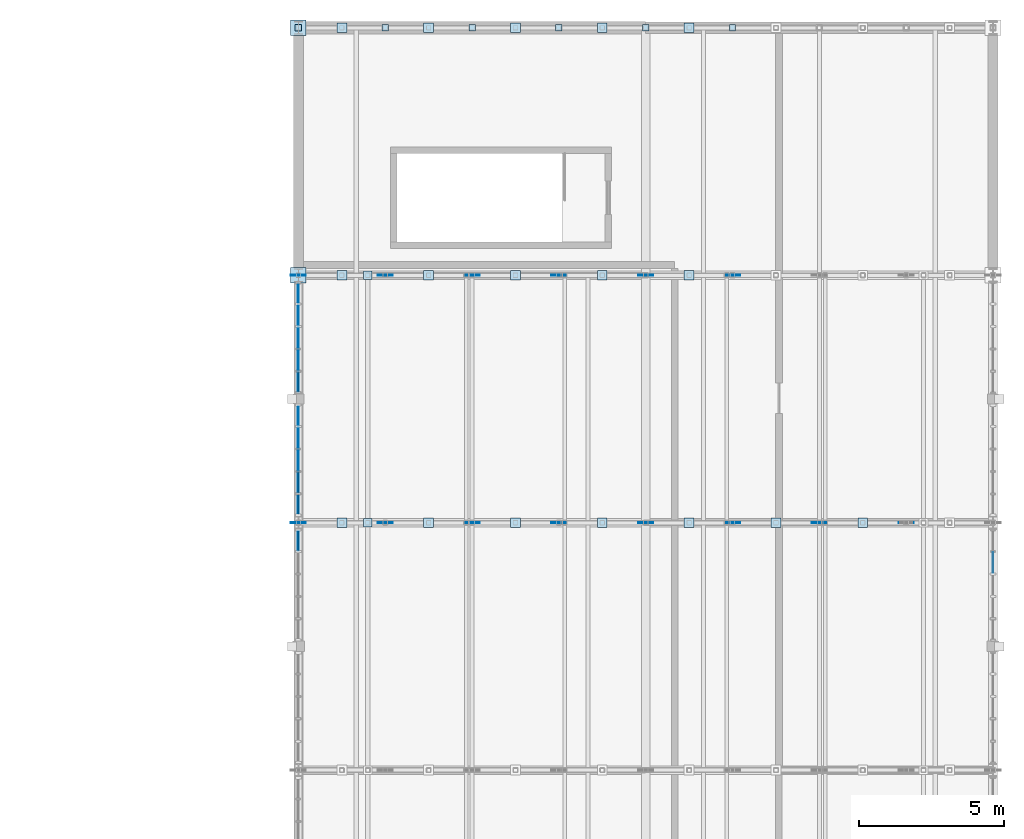
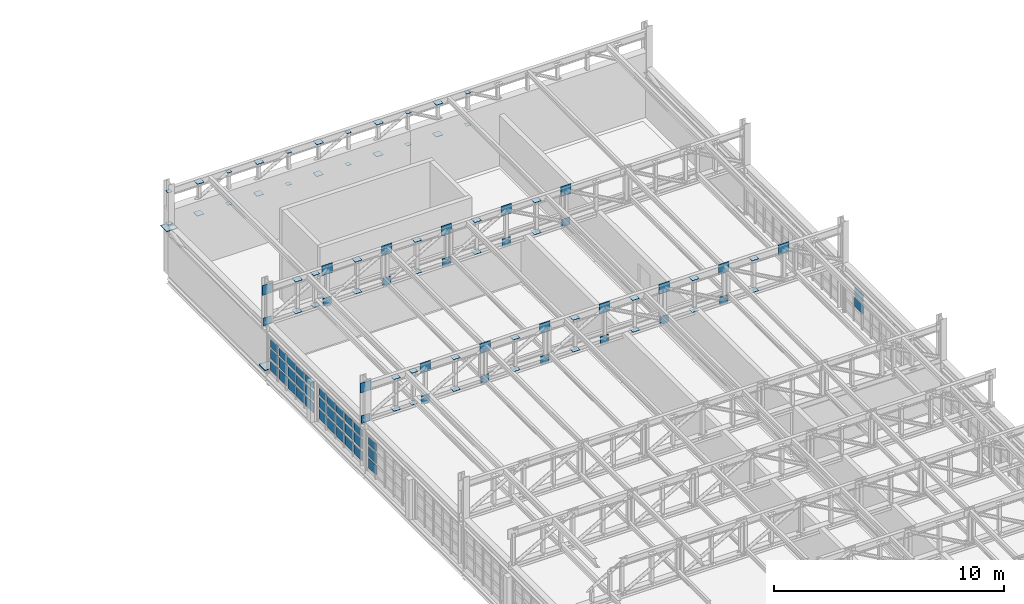
# One storey, part 111 of 128: 114 plates, 4 elements without a shape of their own.
"""IFC4 building model written with IfcOpenShell, lengths in metres."""

from ifc_helpers import new_model, si_unit, direction, frame, origin, origin_2d, place, context, subcontext, project, spatial, rectangle, extrude, material, layer, layer_set, type_object, element, aggregate, save


model = new_model("IFC4")

# Units and contexts
model_context = context("Model", 3, precision=1e-05, world=origin(), true_north=direction((0.0, 1.0)))
body_context = subcontext(model_context, "Body", "Model", "MODEL_VIEW")
ifc_project = project(units=[si_unit("LENGTHUNIT", "METRE"), si_unit("AREAUNIT", "SQUARE_METRE"), si_unit("VOLUMEUNIT", "CUBIC_METRE"), si_unit("PLANEANGLEUNIT", "RADIAN"), si_unit("MASSUNIT", "GRAM", prefix="KILO")], contexts=[model_context])

# Site, building, storey
site_placement = place(None, origin())
site = spatial("IfcSite", under=ifc_project, at=site_placement, CompositionType="ELEMENT")
building_placement = place(site_placement, origin())
building = spatial("IfcBuilding", under=site, at=building_placement, Name="Serraforn Aerial Cableway Station", CompositionType="ELEMENT")
storey_placement = place(building_placement, frame((0.0, 0.0, 9.0)))
storey = spatial("IfcBuildingStorey", under=building, at=storey_placement, Name="L02", CompositionType="ELEMENT", Elevation=9.0)

# Curtain wall, plates
ifc_material_1 = material(Name="Anodised bronze unitised curtain wall")
curtain_wall_type_1 = type_object("IfcCurtainWallType", Name="CW-SYS-11", PredefinedType="USERDEFINED", material=ifc_material_1)
curtain_wall_1_placement = place(storey_placement, origin())
curtain_wall_1 = element("IfcCurtainWall", 1, at=curtain_wall_1_placement, inside=storey, type_object=curtain_wall_type_1, Name="Unitised Curtain Wall CW-EG-L02-W7A", ObjectType="UNITISED CURTAIN WALL", PredefinedType="USERDEFINED")
ifc_material_2 = material(Name="Solar-control low-E double glazing", Category="glass")
ifc_layer_1 = layer(ifc_material_2, 0.02587890625)
ifc_layer_set_1 = layer_set([ifc_layer_1], Name="Solar-control low-E double glazing")
plate_type_1 = type_object("IfcPlateType", Name="CW-GLZ-1", PredefinedType="CURTAIN_PANEL", material=ifc_layer_set_1)
plate_1_placement = place(storey_placement, frame((144.0, 104.82470703125, 0.80126953125), z_axis=(0.0, 0.0, 1.0), x_axis=(1.0, 0.0, 0.0)))
plate_1 = element("IfcPlate", 2, at=plate_1_placement, type_object=plate_type_1, Name="Curtain Wall Panel CW-EG-L02-W7A-P1-2", PredefinedType="CURTAIN_PANEL", context=body_context, shape_type="SweptSolid", body=[
    extrude(rectangle(XDim=0.02587890625, YDim=0.678466796875, at=origin_2d()), origin(), (0.0, 0.0, 1.0), 0.50244140625),
])
plate_2_placement = place(storey_placement, frame((144.0, 104.066650390625, 0.165283203125), z_axis=(0.0, 0.0, 1.0), x_axis=(1.0, 0.0, 0.0)))
plate_2 = element("IfcPlate", 3, at=plate_2_placement, type_object=plate_type_1, Name="Curtain Wall Panel CW-EG-L02-W7A-P2-1", PredefinedType="CURTAIN_PANEL", context=body_context, shape_type="SweptSolid", body=[
    extrude(rectangle(XDim=0.02587890625, YDim=0.705810546875, at=origin_2d()), origin(), (0.0, 0.0, 1.0), 0.50244140625),
])

# Curtain wall, plate
curtain_wall_type_2 = type_object("IfcCurtainWallType", Name="CW-SYS-12", PredefinedType="USERDEFINED", material=ifc_material_1)
curtain_wall_2_placement = place(storey_placement, origin())
curtain_wall_2 = element("IfcCurtainWall", 4, at=curtain_wall_2_placement, inside=storey, type_object=curtain_wall_type_2, Name="Unitised Curtain Wall CW-EG-L02-W7B", ObjectType="UNITISED CURTAIN WALL", PredefinedType="USERDEFINED")
plate_3_placement = place(storey_placement, frame((144.0, 100.591552734375, 0.165283203125), z_axis=(0.0, 0.0, 1.0), x_axis=(1.0, 0.0, 0.0)))
plate_3 = element("IfcPlate", 5, at=plate_3_placement, type_object=plate_type_1, Name="Curtain Wall Panel CW-EG-L02-W7B-P1-1", PredefinedType="CURTAIN_PANEL", context=body_context, shape_type="SweptSolid", body=[
    extrude(rectangle(XDim=0.02587890625, YDim=0.6708984375, at=origin_2d()), origin(), (0.0, 0.0, 1.0), 0.50244140625),
])

# Plate
ifc_layer_2 = layer(ifc_material_2, 0.028076171875)
ifc_layer_set_2 = layer_set([ifc_layer_2], Name="Solar-control low-E double glazing")
plate_type_2 = type_object("IfcPlateType", Name="CW-GLZ-2", PredefinedType="CURTAIN_PANEL", material=ifc_layer_set_2)
plate_4_placement = place(storey_placement, frame((144.0, 104.82470703125, 1.40966796875), z_axis=(0.0, 0.0, 1.0), x_axis=(1.0, 0.0, 0.0)))
plate_4 = element("IfcPlate", 6, at=plate_4_placement, type_object=plate_type_2, Name="Curtain Wall Panel CW-EG-L02-W7A-P1-3", PredefinedType="CURTAIN_PANEL", context=body_context, shape_type="SweptSolid", body=[
    extrude(rectangle(XDim=0.028076171875, YDim=0.678466796875, at=origin_2d()), origin(), (0.0, 0.0, 1.0), 0.397705078125),
])

plate_5_placement = place(storey_placement, frame((144.0, 104.066650390625, 0.77392578125), z_axis=(0.0, 0.0, 1.0), x_axis=(1.0, 0.0, 0.0)))
plate_5 = element("IfcPlate", 7, at=plate_5_placement, type_object=plate_type_2, Name="Curtain Wall Panel CW-EG-L02-W7A-P2-2", PredefinedType="CURTAIN_PANEL", context=body_context, shape_type="SweptSolid", body=[
    extrude(rectangle(XDim=0.028076171875, YDim=0.705810546875, at=origin_2d()), origin(), (0.0, 0.0, 1.0), 0.52490234375),
])

plate_6_placement = place(storey_placement, frame((144.0, 103.285888671875, 0.137939453125), z_axis=(0.0, 0.0, 1.0), x_axis=(1.0, 0.0, 0.0)))
plate_6 = element("IfcPlate", 8, at=plate_6_placement, type_object=plate_type_2, Name="Curtain Wall Panel CW-EG-L02-W7A-P3-1", PredefinedType="CURTAIN_PANEL", context=body_context, shape_type="SweptSolid", body=[
    extrude(rectangle(XDim=0.028076171875, YDim=0.71337890625, at=origin_2d()), origin(), (0.0, 0.0, 1.0), 0.52490234375),
])

plate_7_placement = place(storey_placement, frame((144.0, 100.591552734375, 0.77392578125), z_axis=(0.0, 0.0, 1.0), x_axis=(1.0, 0.0, 0.0)))
plate_7 = element("IfcPlate", 9, at=plate_7_placement, type_object=plate_type_2, Name="Curtain Wall Panel CW-EG-L02-W7B-P1-2", PredefinedType="CURTAIN_PANEL", context=body_context, shape_type="SweptSolid", body=[
    extrude(rectangle(XDim=0.028076171875, YDim=0.6708984375, at=origin_2d()), origin(), (0.0, 0.0, 1.0), 0.52490234375),
])

plate_8_placement = place(storey_placement, frame((144.0, 99.828369140625, 0.137939453125), z_axis=(0.0, 0.0, 1.0), x_axis=(1.0, 0.0, 0.0)))
plate_8 = element("IfcPlate", 10, at=plate_8_placement, type_object=plate_type_2, Name="Curtain Wall Panel CW-EG-L02-W7B-P2-1", PredefinedType="CURTAIN_PANEL", context=body_context, shape_type="SweptSolid", body=[
    extrude(rectangle(XDim=0.028076171875, YDim=0.71337890625, at=origin_2d()), origin(), (0.0, 0.0, 1.0), 0.52490234375),
])

# Curtain wall, plate
curtain_wall_type_3 = type_object("IfcCurtainWallType", Name="CW-SYS-10", PredefinedType="USERDEFINED", material=ifc_material_1)
curtain_wall_3_placement = place(storey_placement, origin())
curtain_wall_3 = element("IfcCurtainWall", 11, at=curtain_wall_3_placement, inside=storey, type_object=curtain_wall_type_3, Name="Unitised Curtain Wall CW-EG-L02-E6B", ObjectType="UNITISED CURTAIN WALL", PredefinedType="USERDEFINED")
ifc_layer_3 = layer(ifc_material_2, 0.030029296875)
ifc_layer_set_3 = layer_set([ifc_layer_3], Name="Solar-control low-E double glazing")
plate_type_3 = type_object("IfcPlateType", Name="CW-GLZ-3", PredefinedType="CURTAIN_PANEL", material=ifc_layer_set_3)
plate_9_placement = place(storey_placement, frame((168.0, 95.5205078125, 0.77880859375), z_axis=(0.0, 0.0, 1.0), x_axis=(1.0, 0.0, 0.0)))
plate_9 = element("IfcPlate", 12, at=plate_9_placement, type_object=plate_type_3, Name="Curtain Wall Panel CW-EG-L02-E6B-P4-2", PredefinedType="CURTAIN_PANEL", context=body_context, shape_type="SweptSolid", body=[
    extrude(rectangle(XDim=0.030029296875, YDim=0.71337890625, at=origin_2d()), origin(), (0.0, 0.0, 1.0), 0.512451171875),
])

# Plate
plate_10_placement = place(storey_placement, frame((144.0, 104.066650390625, 1.414794921875), z_axis=(0.0, 0.0, 1.0), x_axis=(1.0, 0.0, 0.0)))
plate_10 = element("IfcPlate", 13, at=plate_10_placement, type_object=plate_type_3, Name="Curtain Wall Panel CW-EG-L02-W7A-P2-3", PredefinedType="CURTAIN_PANEL", context=body_context, shape_type="SweptSolid", body=[
    extrude(rectangle(XDim=0.030029296875, YDim=0.705810546875, at=origin_2d()), origin(), (0.0, 0.0, 1.0), 0.38525390625),
])

plate_11_placement = place(storey_placement, frame((144.0, 103.285888671875, 0.77880859375), z_axis=(0.0, 0.0, 1.0), x_axis=(1.0, 0.0, 0.0)))
plate_11 = element("IfcPlate", 14, at=plate_11_placement, type_object=plate_type_3, Name="Curtain Wall Panel CW-EG-L02-W7A-P3-2", PredefinedType="CURTAIN_PANEL", context=body_context, shape_type="SweptSolid", body=[
    extrude(rectangle(XDim=0.030029296875, YDim=0.71337890625, at=origin_2d()), origin(), (0.0, 0.0, 1.0), 0.512451171875),
])

plate_12_placement = place(storey_placement, frame((144.0, 102.517822265625, 0.142578125), z_axis=(0.0, 0.0, 1.0), x_axis=(1.0, 0.0, 0.0)))
plate_12 = element("IfcPlate", 15, at=plate_12_placement, type_object=plate_type_3, Name="Curtain Wall Panel CW-EG-L02-W7A-P4-1", PredefinedType="CURTAIN_PANEL", context=body_context, shape_type="SweptSolid", body=[
    extrude(rectangle(XDim=0.030029296875, YDim=0.720947265625, at=origin_2d()), origin(), (0.0, 0.0, 1.0), 0.512451171875),
])

plate_13_placement = place(storey_placement, frame((144.0, 100.591552734375, 1.414794921875), z_axis=(0.0, 0.0, 1.0), x_axis=(1.0, 0.0, 0.0)))
plate_13 = element("IfcPlate", 16, at=plate_13_placement, type_object=plate_type_3, Name="Curtain Wall Panel CW-EG-L02-W7B-P1-3", PredefinedType="CURTAIN_PANEL", context=body_context, shape_type="SweptSolid", body=[
    extrude(rectangle(XDim=0.030029296875, YDim=0.6708984375, at=origin_2d()), origin(), (0.0, 0.0, 1.0), 0.38525390625),
])

plate_14_placement = place(storey_placement, frame((144.0, 99.828369140625, 0.77880859375), z_axis=(0.0, 0.0, 1.0), x_axis=(1.0, 0.0, 0.0)))
plate_14 = element("IfcPlate", 17, at=plate_14_placement, type_object=plate_type_3, Name="Curtain Wall Panel CW-EG-L02-W7B-P2-2", PredefinedType="CURTAIN_PANEL", context=body_context, shape_type="SweptSolid", body=[
    extrude(rectangle(XDim=0.030029296875, YDim=0.71337890625, at=origin_2d()), origin(), (0.0, 0.0, 1.0), 0.512451171875),
])

plate_15_placement = place(storey_placement, frame((144.0, 99.060302734375, 0.142578125), z_axis=(0.0, 0.0, 1.0), x_axis=(1.0, 0.0, 0.0)))
plate_15 = element("IfcPlate", 18, at=plate_15_placement, type_object=plate_type_3, Name="Curtain Wall Panel CW-EG-L02-W7B-P3-1", PredefinedType="CURTAIN_PANEL", context=body_context, shape_type="SweptSolid", body=[
    extrude(rectangle(XDim=0.030029296875, YDim=0.720947265625, at=origin_2d()), origin(), (0.0, 0.0, 1.0), 0.512451171875),
])

# Curtain wall, plate
curtain_wall_type_4 = type_object("IfcCurtainWallType", Name="CW-SYS-7", PredefinedType="USERDEFINED", material=ifc_material_1)
curtain_wall_4_placement = place(storey_placement, origin())
curtain_wall_4 = element("IfcCurtainWall", 19, at=curtain_wall_4_placement, inside=storey, type_object=curtain_wall_type_4, Name="Unitised Curtain Wall CW-EG-L02-W6A", ObjectType="UNITISED CURTAIN WALL", PredefinedType="USERDEFINED")
ifc_layer_4 = layer(ifc_material_2, 0.031982421875)
ifc_layer_set_4 = layer_set([ifc_layer_4], Name="Solar-control low-E double glazing")
plate_type_4 = type_object("IfcPlateType", Name="CW-GLZ-4", PredefinedType="CURTAIN_PANEL", material=ifc_layer_set_4)
plate_16_placement = place(storey_placement, frame((144.0, 96.273681640625, 0.165283203125), z_axis=(0.0, 0.0, 1.0), x_axis=(1.0, 0.0, 0.0)))
plate_16 = element("IfcPlate", 20, at=plate_16_placement, type_object=plate_type_4, Name="Curtain Wall Panel CW-EG-L02-W6A-P1-1", PredefinedType="CURTAIN_PANEL", context=body_context, shape_type="SweptSolid", body=[
    extrude(rectangle(XDim=0.031982421875, YDim=0.6708984375, at=origin_2d()), origin(), (0.0, 0.0, 1.0), 0.50244140625),
])

# Plate
plate_17_placement = place(storey_placement, frame((168.0, 95.5205078125, 1.42236328125), z_axis=(0.0, 0.0, 1.0), x_axis=(1.0, 0.0, 0.0)))
plate_17 = element("IfcPlate", 21, at=plate_17_placement, type_object=plate_type_4, Name="Curtain Wall Panel CW-EG-L02-E6B-P4-3", PredefinedType="CURTAIN_PANEL", context=body_context, shape_type="SweptSolid", body=[
    extrude(rectangle(XDim=0.031982421875, YDim=0.71337890625, at=origin_2d()), origin(), (0.0, 0.0, 1.0), 0.370361328125),
])

aggregate(curtain_wall_3, [plate_9, plate_17])

plate_18_placement = place(storey_placement, frame((144.0, 103.285888671875, 1.42236328125), z_axis=(0.0, 0.0, 1.0), x_axis=(1.0, 0.0, 0.0)))
plate_18 = element("IfcPlate", 22, at=plate_18_placement, type_object=plate_type_4, Name="Curtain Wall Panel CW-EG-L02-W7A-P3-3", PredefinedType="CURTAIN_PANEL", context=body_context, shape_type="SweptSolid", body=[
    extrude(rectangle(XDim=0.031982421875, YDim=0.71337890625, at=origin_2d()), origin(), (0.0, 0.0, 1.0), 0.370361328125),
])

plate_19_placement = place(storey_placement, frame((144.0, 102.517822265625, 0.786376953125), z_axis=(0.0, 0.0, 1.0), x_axis=(1.0, 0.0, 0.0)))
plate_19 = element("IfcPlate", 23, at=plate_19_placement, type_object=plate_type_4, Name="Curtain Wall Panel CW-EG-L02-W7A-P4-2", PredefinedType="CURTAIN_PANEL", context=body_context, shape_type="SweptSolid", body=[
    extrude(rectangle(XDim=0.031982421875, YDim=0.720947265625, at=origin_2d()), origin(), (0.0, 0.0, 1.0), 0.49755859375),
])

plate_20_placement = place(storey_placement, frame((144.0, 101.759765625, 0.150390625), z_axis=(0.0, 0.0, 1.0), x_axis=(1.0, 0.0, 0.0)))
plate_20 = element("IfcPlate", 24, at=plate_20_placement, type_object=plate_type_4, Name="Curtain Wall Panel CW-EG-L02-W7A-P5-1", PredefinedType="CURTAIN_PANEL", context=body_context, shape_type="SweptSolid", body=[
    extrude(rectangle(XDim=0.031982421875, YDim=0.683349609375, at=origin_2d()), origin(), (0.0, 0.0, 1.0), 0.49755859375),
])

plate_21_placement = place(storey_placement, frame((144.0, 99.828369140625, 1.42236328125), z_axis=(0.0, 0.0, 1.0), x_axis=(1.0, 0.0, 0.0)))
plate_21 = element("IfcPlate", 25, at=plate_21_placement, type_object=plate_type_4, Name="Curtain Wall Panel CW-EG-L02-W7B-P2-3", PredefinedType="CURTAIN_PANEL", context=body_context, shape_type="SweptSolid", body=[
    extrude(rectangle(XDim=0.031982421875, YDim=0.71337890625, at=origin_2d()), origin(), (0.0, 0.0, 1.0), 0.370361328125),
])

plate_22_placement = place(storey_placement, frame((144.0, 99.060302734375, 0.786376953125), z_axis=(0.0, 0.0, 1.0), x_axis=(1.0, 0.0, 0.0)))
plate_22 = element("IfcPlate", 26, at=plate_22_placement, type_object=plate_type_4, Name="Curtain Wall Panel CW-EG-L02-W7B-P3-2", PredefinedType="CURTAIN_PANEL", context=body_context, shape_type="SweptSolid", body=[
    extrude(rectangle(XDim=0.031982421875, YDim=0.720947265625, at=origin_2d()), origin(), (0.0, 0.0, 1.0), 0.49755859375),
])

plate_23_placement = place(storey_placement, frame((144.0, 98.285888671875, 0.150390625), z_axis=(0.0, 0.0, 1.0), x_axis=(1.0, 0.0, 0.0)))
plate_23 = element("IfcPlate", 27, at=plate_23_placement, type_object=plate_type_4, Name="Curtain Wall Panel CW-EG-L02-W7B-P4-1", PredefinedType="CURTAIN_PANEL", context=body_context, shape_type="SweptSolid", body=[
    extrude(rectangle(XDim=0.031982421875, YDim=0.7158203125, at=origin_2d()), origin(), (0.0, 0.0, 1.0), 0.49755859375),
])

ifc_layer_5 = layer(ifc_material_2, 0.033935546875)
ifc_layer_set_5 = layer_set([ifc_layer_5], Name="Solar-control low-E double glazing")
plate_type_5 = type_object("IfcPlateType", Name="CW-GLZ-5", PredefinedType="CURTAIN_PANEL", material=ifc_layer_set_5)
plate_24_placement = place(storey_placement, frame((144.0, 96.273681640625, 0.77392578125), z_axis=(0.0, 0.0, 1.0), x_axis=(1.0, 0.0, 0.0)))
plate_24 = element("IfcPlate", 28, at=plate_24_placement, type_object=plate_type_5, Name="Curtain Wall Panel CW-EG-L02-W6A-P1-2", PredefinedType="CURTAIN_PANEL", context=body_context, shape_type="SweptSolid", body=[
    extrude(rectangle(XDim=0.033935546875, YDim=0.6708984375, at=origin_2d()), origin(), (0.0, 0.0, 1.0), 0.52490234375),
])

plate_25_placement = place(storey_placement, frame((144.0, 102.517822265625, 1.4296875), z_axis=(0.0, 0.0, 1.0), x_axis=(1.0, 0.0, 0.0)))
plate_25 = element("IfcPlate", 29, at=plate_25_placement, type_object=plate_type_5, Name="Curtain Wall Panel CW-EG-L02-W7A-P4-3", PredefinedType="CURTAIN_PANEL", context=body_context, shape_type="SweptSolid", body=[
    extrude(rectangle(XDim=0.033935546875, YDim=0.720947265625, at=origin_2d()), origin(), (0.0, 0.0, 1.0), 0.355224609375),
])

plate_26_placement = place(storey_placement, frame((144.0, 101.759765625, 0.7939453125), z_axis=(0.0, 0.0, 1.0), x_axis=(1.0, 0.0, 0.0)))
plate_26 = element("IfcPlate", 30, at=plate_26_placement, type_object=plate_type_5, Name="Curtain Wall Panel CW-EG-L02-W7A-P5-2", PredefinedType="CURTAIN_PANEL", context=body_context, shape_type="SweptSolid", body=[
    extrude(rectangle(XDim=0.033935546875, YDim=0.683349609375, at=origin_2d()), origin(), (0.0, 0.0, 1.0), 0.482421875),
])

plate_27_placement = place(storey_placement, frame((144.0, 99.060302734375, 1.4296875), z_axis=(0.0, 0.0, 1.0), x_axis=(1.0, 0.0, 0.0)))
plate_27 = element("IfcPlate", 31, at=plate_27_placement, type_object=plate_type_5, Name="Curtain Wall Panel CW-EG-L02-W7B-P3-3", PredefinedType="CURTAIN_PANEL", context=body_context, shape_type="SweptSolid", body=[
    extrude(rectangle(XDim=0.033935546875, YDim=0.720947265625, at=origin_2d()), origin(), (0.0, 0.0, 1.0), 0.355224609375),
])

plate_28_placement = place(storey_placement, frame((144.0, 98.285888671875, 0.7939453125), z_axis=(0.0, 0.0, 1.0), x_axis=(1.0, 0.0, 0.0)))
plate_28 = element("IfcPlate", 32, at=plate_28_placement, type_object=plate_type_5, Name="Curtain Wall Panel CW-EG-L02-W7B-P4-2", PredefinedType="CURTAIN_PANEL", context=body_context, shape_type="SweptSolid", body=[
    extrude(rectangle(XDim=0.033935546875, YDim=0.7158203125, at=origin_2d()), origin(), (0.0, 0.0, 1.0), 0.482421875),
])

plate_29_placement = place(storey_placement, frame((144.0, 97.529052734375, 0.15771484375), z_axis=(0.0, 0.0, 1.0), x_axis=(1.0, 0.0, 0.0)))
plate_29 = element("IfcPlate", 33, at=plate_29_placement, type_object=plate_type_5, Name="Curtain Wall Panel CW-EG-L02-W7B-P5-1", PredefinedType="CURTAIN_PANEL", context=body_context, shape_type="SweptSolid", body=[
    extrude(rectangle(XDim=0.033935546875, YDim=0.67578125, at=origin_2d()), origin(), (0.0, 0.0, 1.0), 0.482421875),
])

ifc_layer_6 = layer(ifc_material_2, 0.035888671875)
ifc_layer_set_6 = layer_set([ifc_layer_6], Name="Solar-control low-E double glazing")
plate_type_6 = type_object("IfcPlateType", Name="CW-GLZ-6", PredefinedType="CURTAIN_PANEL", material=ifc_layer_set_6)
plate_30_placement = place(storey_placement, frame((144.0, 96.273681640625, 1.414794921875), z_axis=(0.0, 0.0, 1.0), x_axis=(1.0, 0.0, 0.0)))
plate_30 = element("IfcPlate", 34, at=plate_30_placement, type_object=plate_type_6, Name="Curtain Wall Panel CW-EG-L02-W6A-P1-3", PredefinedType="CURTAIN_PANEL", context=body_context, shape_type="SweptSolid", body=[
    extrude(rectangle(XDim=0.035888671875, YDim=0.6708984375, at=origin_2d()), origin(), (0.0, 0.0, 1.0), 0.38525390625),
])

aggregate(curtain_wall_4, [plate_16, plate_24, plate_30])

plate_31_placement = place(storey_placement, frame((144.0, 101.759765625, 1.4375), z_axis=(0.0, 0.0, 1.0), x_axis=(1.0, 0.0, 0.0)))
plate_31 = element("IfcPlate", 35, at=plate_31_placement, type_object=plate_type_6, Name="Curtain Wall Panel CW-EG-L02-W7A-P5-3", PredefinedType="CURTAIN_PANEL", context=body_context, shape_type="SweptSolid", body=[
    extrude(rectangle(XDim=0.035888671875, YDim=0.683349609375, at=origin_2d()), origin(), (0.0, 0.0, 1.0), 0.375244140625),
])

plate_32_placement = place(storey_placement, frame((144.0, 98.285888671875, 1.4375), z_axis=(0.0, 0.0, 1.0), x_axis=(1.0, 0.0, 0.0)))
plate_32 = element("IfcPlate", 36, at=plate_32_placement, type_object=plate_type_6, Name="Curtain Wall Panel CW-EG-L02-W7B-P4-3", PredefinedType="CURTAIN_PANEL", context=body_context, shape_type="SweptSolid", body=[
    extrude(rectangle(XDim=0.035888671875, YDim=0.7158203125, at=origin_2d()), origin(), (0.0, 0.0, 1.0), 0.375244140625),
])

plate_33_placement = place(storey_placement, frame((144.0, 97.529052734375, 0.80126953125), z_axis=(0.0, 0.0, 1.0), x_axis=(1.0, 0.0, 0.0)))
plate_33 = element("IfcPlate", 37, at=plate_33_placement, type_object=plate_type_6, Name="Curtain Wall Panel CW-EG-L02-W7B-P5-2", PredefinedType="CURTAIN_PANEL", context=body_context, shape_type="SweptSolid", body=[
    extrude(rectangle(XDim=0.035888671875, YDim=0.67578125, at=origin_2d()), origin(), (0.0, 0.0, 1.0), 0.50244140625),
])

ifc_layer_7 = layer(ifc_material_2, 0.029052734375)
ifc_layer_set_7 = layer_set([ifc_layer_7], Name="Solar-control low-E double glazing")
plate_type_7 = type_object("IfcPlateType", Name="CW-GLZ-7", PredefinedType="CURTAIN_PANEL", material=ifc_layer_set_7)
plate_34_placement = place(storey_placement, frame((144.0, 97.529052734375, 1.40966796875), z_axis=(0.0, 0.0, 1.0), x_axis=(1.0, 0.0, 0.0)))
plate_34 = element("IfcPlate", 38, at=plate_34_placement, type_object=plate_type_7, Name="Curtain Wall Panel CW-EG-L02-W7B-P5-3", PredefinedType="CURTAIN_PANEL", context=body_context, shape_type="SweptSolid", body=[
    extrude(rectangle(XDim=0.029052734375, YDim=0.67578125, at=origin_2d()), origin(), (0.0, 0.0, 1.0), 0.397705078125),
])

aggregate(curtain_wall_2, [plate_3, plate_7, plate_13, plate_8, plate_14, plate_21, plate_15, plate_22, plate_27, plate_23, plate_28, plate_32, plate_29, plate_33, plate_34])

ifc_layer_8 = layer(ifc_material_2, 0.031005859375)
ifc_layer_set_8 = layer_set([ifc_layer_8], Name="Solar-control low-E double glazing")
plate_type_8 = type_object("IfcPlateType", Name="CW-GLZ-8", PredefinedType="CURTAIN_PANEL", material=ifc_layer_set_8)
plate_35_placement = place(storey_placement, frame((144.0, 104.82470703125, 0.15771484375), z_axis=(0.0, 0.0, 1.0), x_axis=(1.0, 0.0, 0.0)))
plate_35 = element("IfcPlate", 39, at=plate_35_placement, type_object=plate_type_8, Name="Curtain Wall Panel CW-EG-L02-W7A-P1-1", PredefinedType="CURTAIN_PANEL", context=body_context, shape_type="SweptSolid", body=[
    extrude(rectangle(XDim=0.031005859375, YDim=0.678466796875, at=origin_2d()), origin(), (0.0, 0.0, 1.0), 0.482421875),
])

aggregate(curtain_wall_1, [plate_35, plate_1, plate_4, plate_2, plate_5, plate_10, plate_6, plate_11, plate_18, plate_12, plate_19, plate_25, plate_20, plate_26, plate_31])

# Plates
ifc_material_3 = material(Name="Steel S355J2", Category="steel")
ifc_layer_9 = layer(ifc_material_3, 0.01611328125)
ifc_layer_set_9 = layer_set([ifc_layer_9], Name="Steel S355J2")
plate_type_9 = type_object("IfcPlateType", Name="PLT-CAP-16", PredefinedType="USERDEFINED", material=ifc_layer_set_9)
for number, where, z_axis, x_axis, name in (
    (40, (146.39990234375, 96.89990234375, 2.592041015625), (0.0, 0.0, 1.0), (1.0, 0.0, 0.0), "Suspension Post Bottom Cap 049"),
    (41, (146.39990234375, 96.89990234375, 4.281982421875), (0.0, 0.0, 1.0), (1.0, 0.0, 0.0), "Suspension Post Top Cap 049"),
    (42, (146.39990234375, 105.449951171875, 2.592041015625), (0.0, 0.0, 1.0), (1.0, 0.0, 0.0), "Suspension Post Bottom Cap 055"),
    (43, (146.39990234375, 105.449951171875, 4.281982421875), (0.0, 0.0, 1.0), (1.0, 0.0, 0.0), "Suspension Post Top Cap 055"),
):
    element("IfcPlate", number, at=place(storey_placement, frame(where, z_axis=z_axis, x_axis=x_axis)), inside=storey, type_object=plate_type_9, Name=name, ObjectType="CAP PLATE", PredefinedType="USERDEFINED", context=body_context, shape_type="SweptSolid", body=[
        extrude(rectangle(XDim=0.300048828125, YDim=0.300048828125, at=origin_2d()), origin(), (0.0, 0.0, 1.0), 0.01611328125),
    ])
ifc_layer_10 = layer(ifc_material_3, 0.01611328125)
ifc_layer_set_10 = layer_set([ifc_layer_10], Name="Steel S355J2")
plate_type_10 = type_object("IfcPlateType", Name="PLT-CAP-16B", PredefinedType="USERDEFINED", material=ifc_layer_set_10)
for number, where, z_axis, x_axis, name in (
    (44, (144.0, 114.0, 4.2919921875), (0.0, 0.0, 1.0), (1.0, 0.0, 0.0), "Garage Gable Post Top Cap GT-12-1"),
    (45, (144.0, 114.0, 2.58203125), (0.0, 0.0, 1.0), (1.0, 0.0, 0.0), "Garage Gable Post Bottom Cap GT-12-1"),
    (46, (147.0, 114.0, 4.2919921875), (0.0, 0.0, 1.0), (1.0, 0.0, 0.0), "Garage Gable Post Top Cap GT-12-2"),
    (47, (147.0, 114.0, 2.58203125), (0.0, 0.0, 1.0), (1.0, 0.0, 0.0), "Garage Gable Post Bottom Cap GT-12-2"),
    (48, (150.0, 114.0, 4.2919921875), (0.0, 0.0, 1.0), (1.0, 0.0, 0.0), "Garage Gable Post Top Cap GT-12-3"),
    (49, (150.0, 114.0, 2.58203125), (0.0, 0.0, 1.0), (1.0, 0.0, 0.0), "Garage Gable Post Bottom Cap GT-12-3"),
    (50, (153.0, 114.0, 4.2919921875), (0.0, 0.0, 1.0), (1.0, 0.0, 0.0), "Garage Gable Post Top Cap GT-12-4"),
    (51, (153.0, 114.0, 2.58203125), (0.0, 0.0, 1.0), (1.0, 0.0, 0.0), "Garage Gable Post Bottom Cap GT-12-4"),
    (52, (156.0, 114.0, 4.2919921875), (0.0, 0.0, 1.0), (1.0, 0.0, 0.0), "Garage Gable Post Top Cap GT-12-5"),
    (53, (156.0, 114.0, 2.58203125), (0.0, 0.0, 1.0), (1.0, 0.0, 0.0), "Garage Gable Post Bottom Cap GT-12-5"),
    (54, (159.0, 114.0, 4.2919921875), (0.0, 0.0, 1.0), (1.0, 0.0, 0.0), "Garage Gable Post Top Cap GT-12-6"),
    (55, (159.0, 114.0, 2.58203125), (0.0, 0.0, 1.0), (1.0, 0.0, 0.0), "Garage Gable Post Bottom Cap GT-12-6"),
):
    element("IfcPlate", number, at=place(storey_placement, frame(where, z_axis=z_axis, x_axis=x_axis)), inside=storey, type_object=plate_type_10, Name=name, ObjectType="CAP PLATE", PredefinedType="USERDEFINED", context=body_context, shape_type="SweptSolid", body=[
        extrude(rectangle(XDim=0.219970703125, YDim=0.219970703125, at=origin_2d()), origin(), (0.0, 0.0, 1.0), 0.01611328125),
    ])
ifc_layer_11 = layer(ifc_material_3, 0.01806640625)
ifc_layer_set_11 = layer_set([ifc_layer_11], Name="Steel S355J2")
plate_type_11 = type_object("IfcPlateType", Name="PLT-CAP-18", PredefinedType="USERDEFINED", material=ifc_layer_set_11)
for number, where, z_axis, x_axis, name in (
    (56, (145.5, 96.89990234375, 2.591064453125), (0.0, 0.0, 1.0), (1.0, 0.0, 0.0), "Sub-Vertical Strut Bottom Cap GT-10-1"),
    (57, (145.5, 96.89990234375, 4.281005859375), (0.0, 0.0, 1.0), (1.0, 0.0, 0.0), "Sub-Vertical Strut Top Cap GT-10-1"),
    (58, (148.5, 96.89990234375, 2.591064453125), (0.0, 0.0, 1.0), (1.0, 0.0, 0.0), "Sub-Vertical Strut Bottom Cap GT-10-2"),
    (59, (148.5, 96.89990234375, 4.281005859375), (0.0, 0.0, 1.0), (1.0, 0.0, 0.0), "Sub-Vertical Strut Top Cap GT-10-2"),
    (60, (151.5, 96.89990234375, 2.591064453125), (0.0, 0.0, 1.0), (1.0, 0.0, 0.0), "Sub-Vertical Strut Bottom Cap GT-10-3"),
    (61, (151.5, 96.89990234375, 4.281005859375), (0.0, 0.0, 1.0), (1.0, 0.0, 0.0), "Sub-Vertical Strut Top Cap GT-10-3"),
    (62, (154.5, 96.89990234375, 2.591064453125), (0.0, 0.0, 1.0), (1.0, 0.0, 0.0), "Sub-Vertical Strut Bottom Cap GT-10-4"),
    (63, (154.5, 96.89990234375, 4.281005859375), (0.0, 0.0, 1.0), (1.0, 0.0, 0.0), "Sub-Vertical Strut Top Cap GT-10-4"),
    (64, (157.5, 96.89990234375, 2.591064453125), (0.0, 0.0, 1.0), (1.0, 0.0, 0.0), "Sub-Vertical Strut Bottom Cap GT-10-5"),
    (65, (157.5, 96.89990234375, 4.281005859375), (0.0, 0.0, 1.0), (1.0, 0.0, 0.0), "Sub-Vertical Strut Top Cap GT-10-5"),
    (66, (160.5, 96.89990234375, 2.591064453125), (0.0, 0.0, 1.0), (1.0, 0.0, 0.0), "Sub-Vertical Strut Bottom Cap GT-10-6"),
    (67, (160.5, 96.89990234375, 4.281005859375), (0.0, 0.0, 1.0), (1.0, 0.0, 0.0), "Sub-Vertical Strut Top Cap GT-10-6"),
    (68, (163.5, 96.89990234375, 2.591064453125), (0.0, 0.0, 1.0), (1.0, 0.0, 0.0), "Sub-Vertical Strut Bottom Cap GT-10-7"),
    (69, (163.5, 96.89990234375, 4.281005859375), (0.0, 0.0, 1.0), (1.0, 0.0, 0.0), "Sub-Vertical Strut Top Cap GT-10-7"),
    (70, (145.5, 105.449951171875, 2.591064453125), (0.0, 0.0, 1.0), (1.0, 0.0, 0.0), "Sub-Vertical Strut Bottom Cap GT-11-1"),
    (71, (145.5, 105.449951171875, 4.281005859375), (0.0, 0.0, 1.0), (1.0, 0.0, 0.0), "Sub-Vertical Strut Top Cap GT-11-1"),
    (72, (148.5, 105.449951171875, 2.591064453125), (0.0, 0.0, 1.0), (1.0, 0.0, 0.0), "Sub-Vertical Strut Bottom Cap GT-11-2"),
    (73, (148.5, 105.449951171875, 4.281005859375), (0.0, 0.0, 1.0), (1.0, 0.0, 0.0), "Sub-Vertical Strut Top Cap GT-11-2"),
    (74, (151.5, 105.449951171875, 2.591064453125), (0.0, 0.0, 1.0), (1.0, 0.0, 0.0), "Sub-Vertical Strut Bottom Cap GT-11-3"),
    (75, (151.5, 105.449951171875, 4.281005859375), (0.0, 0.0, 1.0), (1.0, 0.0, 0.0), "Sub-Vertical Strut Top Cap GT-11-3"),
    (76, (154.5, 105.449951171875, 2.591064453125), (0.0, 0.0, 1.0), (1.0, 0.0, 0.0), "Sub-Vertical Strut Bottom Cap GT-11-4"),
    (77, (154.5, 105.449951171875, 4.281005859375), (0.0, 0.0, 1.0), (1.0, 0.0, 0.0), "Sub-Vertical Strut Top Cap GT-11-4"),
    (78, (157.5, 105.449951171875, 2.591064453125), (0.0, 0.0, 1.0), (1.0, 0.0, 0.0), "Sub-Vertical Strut Bottom Cap GT-11-5"),
    (79, (157.5, 105.449951171875, 4.281005859375), (0.0, 0.0, 1.0), (1.0, 0.0, 0.0), "Sub-Vertical Strut Top Cap GT-11-5"),
    (80, (145.5, 114.0, 2.591064453125), (0.0, 0.0, 1.0), (1.0, 0.0, 0.0), "Sub-Vertical Strut Bottom Cap GT-12-1"),
    (81, (145.5, 114.0, 4.281005859375), (0.0, 0.0, 1.0), (1.0, 0.0, 0.0), "Sub-Vertical Strut Top Cap GT-12-1"),
    (82, (148.5, 114.0, 2.591064453125), (0.0, 0.0, 1.0), (1.0, 0.0, 0.0), "Sub-Vertical Strut Bottom Cap GT-12-2"),
    (83, (148.5, 114.0, 4.281005859375), (0.0, 0.0, 1.0), (1.0, 0.0, 0.0), "Sub-Vertical Strut Top Cap GT-12-2"),
    (84, (151.5, 114.0, 2.591064453125), (0.0, 0.0, 1.0), (1.0, 0.0, 0.0), "Sub-Vertical Strut Bottom Cap GT-12-3"),
    (85, (151.5, 114.0, 4.281005859375), (0.0, 0.0, 1.0), (1.0, 0.0, 0.0), "Sub-Vertical Strut Top Cap GT-12-3"),
    (86, (154.5, 114.0, 2.591064453125), (0.0, 0.0, 1.0), (1.0, 0.0, 0.0), "Sub-Vertical Strut Bottom Cap GT-12-4"),
    (87, (154.5, 114.0, 4.281005859375), (0.0, 0.0, 1.0), (1.0, 0.0, 0.0), "Sub-Vertical Strut Top Cap GT-12-4"),
    (88, (157.5, 114.0, 2.591064453125), (0.0, 0.0, 1.0), (1.0, 0.0, 0.0), "Sub-Vertical Strut Bottom Cap GT-12-5"),
    (89, (157.5, 114.0, 4.281005859375), (0.0, 0.0, 1.0), (1.0, 0.0, 0.0), "Sub-Vertical Strut Top Cap GT-12-5"),
):
    element("IfcPlate", number, at=place(storey_placement, frame(where, z_axis=z_axis, x_axis=x_axis)), inside=storey, type_object=plate_type_11, Name=name, ObjectType="CAP PLATE", PredefinedType="USERDEFINED", context=body_context, shape_type="SweptSolid", body=[
        extrude(rectangle(XDim=0.340087890625, YDim=0.340087890625, at=origin_2d()), origin(), (0.0, 0.0, 1.0), 0.01806640625),
    ])
ifc_layer_12 = layer(ifc_material_3, 0.02197265625)
ifc_layer_set_12 = layer_set([ifc_layer_12], Name="Steel S355J2")
plate_type_12 = type_object("IfcPlateType", Name="PLT-CAP-22", PredefinedType="USERDEFINED", material=ifc_layer_set_12)
for number, where, z_axis, x_axis, name in (
    (90, (144.0, 96.89990234375, 2.39013671875), (0.0, 0.0, 1.0), (1.0, 0.0, 0.0), "Garage Truss Bottom Node GT-10-1"),
    (91, (147.0, 96.89990234375, 2.39013671875), (0.0, 0.0, 1.0), (1.0, 0.0, 0.0), "Garage Truss Bottom Node GT-10-2"),
    (92, (150.0, 96.89990234375, 2.39013671875), (0.0, 0.0, 1.0), (1.0, 0.0, 0.0), "Garage Truss Bottom Node GT-10-3"),
    (93, (153.0, 96.89990234375, 2.39013671875), (0.0, 0.0, 1.0), (1.0, 0.0, 0.0), "Garage Truss Bottom Node GT-10-4"),
    (94, (156.0, 96.89990234375, 2.39013671875), (0.0, 0.0, 1.0), (1.0, 0.0, 0.0), "Garage Truss Bottom Node GT-10-5"),
    (95, (159.0, 96.89990234375, 2.39013671875), (0.0, 0.0, 1.0), (1.0, 0.0, 0.0), "Garage Truss Bottom Node GT-10-6"),
    (96, (162.0, 96.89990234375, 2.39013671875), (0.0, 0.0, 1.0), (1.0, 0.0, 0.0), "Garage Truss Bottom Node GT-10-7"),
    (97, (144.0, 105.449951171875, 2.39013671875), (0.0, 0.0, 1.0), (1.0, 0.0, 0.0), "Garage Truss Bottom Node GT-11-1"),
    (98, (147.0, 105.449951171875, 2.39013671875), (0.0, 0.0, 1.0), (1.0, 0.0, 0.0), "Garage Truss Bottom Node GT-11-2"),
    (99, (150.0, 105.449951171875, 2.39013671875), (0.0, 0.0, 1.0), (1.0, 0.0, 0.0), "Garage Truss Bottom Node GT-11-3"),
    (100, (153.0, 105.449951171875, 2.39013671875), (0.0, 0.0, 1.0), (1.0, 0.0, 0.0), "Garage Truss Bottom Node GT-11-4"),
    (101, (156.0, 105.449951171875, 2.39013671875), (0.0, 0.0, 1.0), (1.0, 0.0, 0.0), "Garage Truss Bottom Node GT-11-5"),
    (102, (159.0, 105.449951171875, 2.39013671875), (0.0, 0.0, 1.0), (1.0, 0.0, 0.0), "Garage Truss Bottom Node GT-11-6"),
):
    element("IfcPlate", number, at=place(storey_placement, frame(where, z_axis=z_axis, x_axis=x_axis)), inside=storey, type_object=plate_type_12, Name=name, ObjectType="CAP PLATE", PredefinedType="USERDEFINED", context=body_context, shape_type="SweptSolid", body=[
        extrude(rectangle(XDim=0.419921875, YDim=0.02197265625, at=origin_2d()), origin(), (0.0, 0.0, 1.0), 0.419921875),
    ])
ifc_layer_13 = layer(ifc_material_3, 0.031982421875)
ifc_layer_set_13 = layer_set([ifc_layer_13], Name="Steel S355J2")
plate_type_13 = type_object("IfcPlateType", Name="PLT-CAP-32", PredefinedType="USERDEFINED", material=ifc_layer_set_13)
for number, where, z_axis, x_axis, name in (
    (103, (144.0, 105.449951171875, 0.18408203125), (0.0, 0.0, 1.0), (1.0, 0.0, 0.0), "Wind Brace Cap Plate 7-A"),
    (104, (144.0, 114.0, 2.3837890625), (0.0, 0.0, 1.0), (1.0, 0.0, 0.0), "Wind Brace Cap Plate 7-B"),
):
    element("IfcPlate", number, at=place(storey_placement, frame(where, z_axis=z_axis, x_axis=x_axis)), inside=storey, type_object=plate_type_13, Name=name, ObjectType="CAP PLATE", PredefinedType="USERDEFINED", context=body_context, shape_type="SweptSolid", body=[
        extrude(rectangle(XDim=0.5400390625, YDim=0.5400390625, at=origin_2d()), origin(), (0.0, 0.0, 1.0), 0.031982421875),
    ])
ifc_layer_14 = layer(ifc_material_3, 0.02587890625)
ifc_layer_set_14 = layer_set([ifc_layer_14], Name="Steel S355J2")
plate_type_14 = type_object("IfcPlateType", Name="PLT-GUS-26", PredefinedType="USERDEFINED", material=ifc_layer_set_14)
for number, where, z_axis, x_axis, name in (
    (105, (144.0, 96.89990234375, 4.030029296875), (0.0, 0.0, 1.0), (1.0, 0.0, 0.0), "Garage Truss Top Node GT-10-1"),
    (106, (147.0, 96.89990234375, 4.030029296875), (0.0, 0.0, 1.0), (1.0, 0.0, 0.0), "Garage Truss Top Node GT-10-2"),
    (107, (150.0, 96.89990234375, 4.030029296875), (0.0, 0.0, 1.0), (1.0, 0.0, 0.0), "Garage Truss Top Node GT-10-3"),
    (108, (153.0, 96.89990234375, 4.030029296875), (0.0, 0.0, 1.0), (1.0, 0.0, 0.0), "Garage Truss Top Node GT-10-4"),
    (109, (156.0, 96.89990234375, 4.030029296875), (0.0, 0.0, 1.0), (1.0, 0.0, 0.0), "Garage Truss Top Node GT-10-5"),
    (110, (159.0, 96.89990234375, 4.030029296875), (0.0, 0.0, 1.0), (1.0, 0.0, 0.0), "Garage Truss Top Node GT-10-6"),
    (111, (162.0, 96.89990234375, 4.030029296875), (0.0, 0.0, 1.0), (1.0, 0.0, 0.0), "Garage Truss Top Node GT-10-7"),
    (112, (165.0, 96.89990234375, 4.030029296875), (0.0, 0.0, 1.0), (1.0, 0.0, 0.0), "Garage Truss Top Node GT-10-8"),
    (113, (144.0, 105.449951171875, 4.030029296875), (0.0, 0.0, 1.0), (1.0, 0.0, 0.0), "Garage Truss Top Node GT-11-1"),
    (114, (147.0, 105.449951171875, 4.030029296875), (0.0, 0.0, 1.0), (1.0, 0.0, 0.0), "Garage Truss Top Node GT-11-2"),
    (115, (150.0, 105.449951171875, 4.030029296875), (0.0, 0.0, 1.0), (1.0, 0.0, 0.0), "Garage Truss Top Node GT-11-3"),
    (116, (153.0, 105.449951171875, 4.030029296875), (0.0, 0.0, 1.0), (1.0, 0.0, 0.0), "Garage Truss Top Node GT-11-4"),
    (117, (156.0, 105.449951171875, 4.030029296875), (0.0, 0.0, 1.0), (1.0, 0.0, 0.0), "Garage Truss Top Node GT-11-5"),
    (118, (159.0, 105.449951171875, 4.030029296875), (0.0, 0.0, 1.0), (1.0, 0.0, 0.0), "Garage Truss Top Node GT-11-6"),
):
    element("IfcPlate", number, at=place(storey_placement, frame(where, z_axis=z_axis, x_axis=x_axis)), inside=storey, type_object=plate_type_14, Name=name, ObjectType="GUSSET PLATE", PredefinedType="USERDEFINED", context=body_context, shape_type="SweptSolid", body=[
        extrude(rectangle(XDim=0.52001953125, YDim=0.02587890625, at=origin_2d()), origin(), (0.0, 0.0, 1.0), 0.52001953125),
    ])

save(model, "model.ifc")
